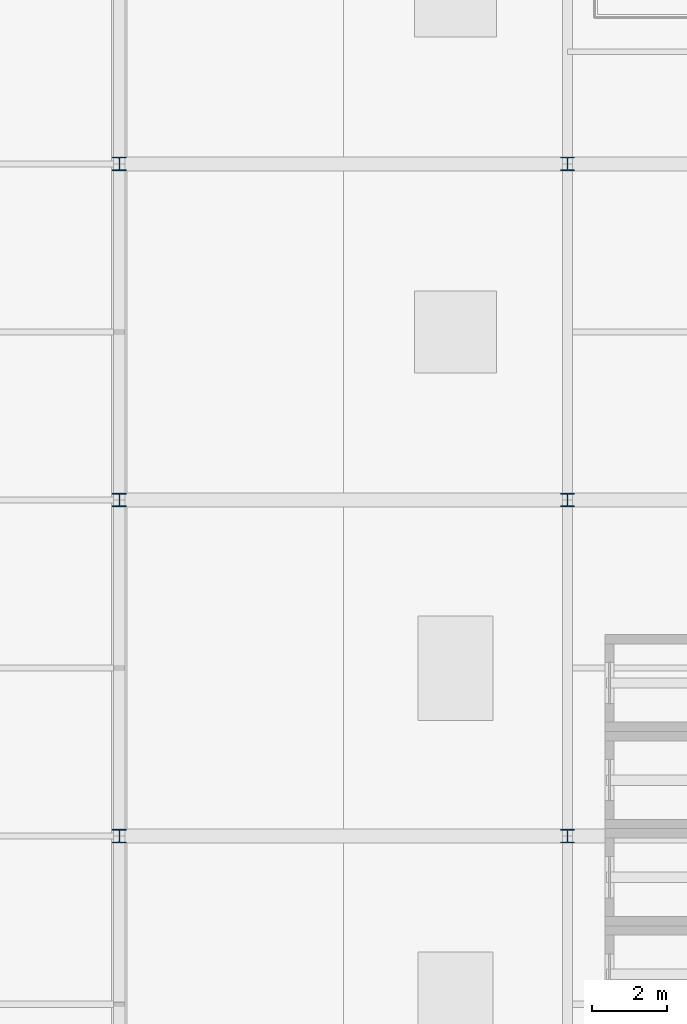
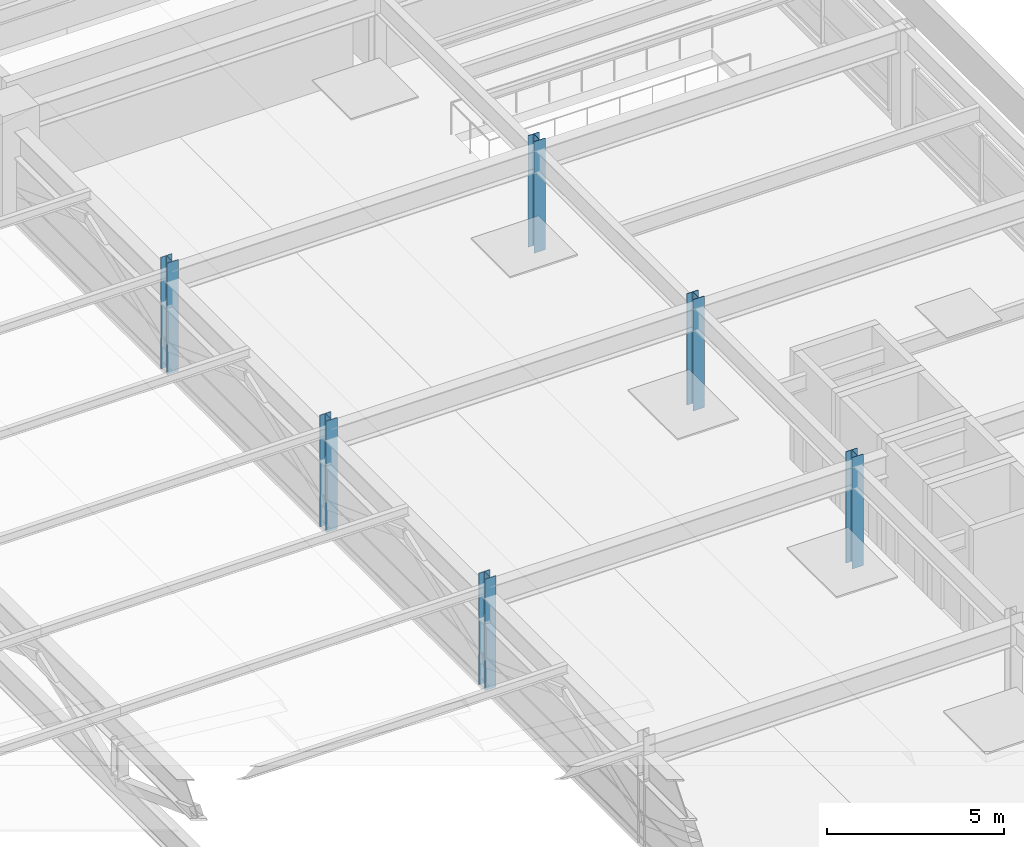
# One storey, part 6 of 108: 6 columns.
"""IFC4 building model written with IfcOpenShell, lengths in metres."""

import ifcopenshell
import ifcopenshell.guid

model = None  # the IFC model being written
_history = None  # IfcOwnerHistory: only IFC2X3 demands one
_inside = {}  # id of a spatial element -> (the spatial element, [elements in it])
_under = {}  # id of a project, library or spatial element -> (it, [spatial elements below it])
_declared = {}  # id of a project -> (the project, [libraries it declares])
_typed = {}  # id of a type object -> (the type object, [elements of that type])
_made_of = {}  # id of a material, layer set ... -> (it, [elements and type objects made of it])


def new_model(schema):
    """Start an empty IFC model of exactly this schema.

    Asked for "IFC4X3", IfcOpenShell would pick the latest addendum, in which some entities
    have other attributes; the version numbers below select the first issue.
    IFC2X3 requires an IfcOwnerHistory on every rooted entity: one is made here for all.
    """
    global model, _history
    if schema == "IFC4X3":
        model = ifcopenshell.file(schema_version=(4, 3, 0, 0))
    else:
        model = ifcopenshell.file(schema=schema)
    _inside.clear()
    _under.clear()
    _declared.clear()
    _typed.clear()
    _made_of.clear()
    _history = None
    if model.schema == "IFC2X3":
        org = make("IfcOrganization", Name="unknown")
        user = make(
            "IfcPersonAndOrganization",
            ThePerson=make("IfcPerson", FamilyName="unknown"),
            TheOrganization=org,
        )
        app = make(
            "IfcApplication",
            ApplicationDeveloper=org,
            Version="unknown",
            ApplicationFullName="unknown",
            ApplicationIdentifier="unknown",
        )
        _history = make(
            "IfcOwnerHistory",
            OwningUser=user,
            OwningApplication=app,
            ChangeAction="ADDED",
            CreationDate=0,
        )
    return model


def make(cls, **values):
    """One entity of the class cls with the attributes given. An attribute that is None is left unset."""
    return model.create_entity(
        cls, **{name: value for name, value in values.items() if value is not None}
    )


def rooted(cls, **values):
    """An entity with a GlobalId (a new one), such as an element, a storey or a relation."""
    return make(cls, GlobalId=ifcopenshell.guid.new(), OwnerHistory=_history, **values)


def si_unit(unit_type, name, prefix=None):
    """IfcSIUnit, for example si_unit("LENGTHUNIT", "METRE", prefix="MILLI")."""
    return make("IfcSIUnit", UnitType=unit_type, Prefix=prefix, Name=name)


def assignment(units):
    """IfcUnitAssignment: the units of a project."""
    return None if units is None else make("IfcUnitAssignment", Units=units)


def point(xyz):
    """IfcCartesianPoint."""
    return None if xyz is None else make("IfcCartesianPoint", Coordinates=xyz)


def direction(xyz):
    """IfcDirection."""
    return None if xyz is None else make("IfcDirection", DirectionRatios=xyz)


def frame(location, z_axis=None, x_axis=None):
    """IfcAxis2Placement3D, a coordinate frame: its origin and axes. An axis left out is left unset."""
    return make(
        "IfcAxis2Placement3D",
        Location=point(location),
        Axis=direction(z_axis),
        RefDirection=direction(x_axis),
    )


def frame_2d(location, x_axis=None):
    """IfcAxis2Placement2D, a coordinate frame in the plane: its origin and x axis."""
    return make(
        "IfcAxis2Placement2D", Location=point(location), RefDirection=direction(x_axis)
    )


def origin():
    """The frame at (0, 0, 0) with its axes left unset."""
    return frame((0.0, 0.0, 0.0))


def origin_2d():
    """The frame at (0, 0) in the plane with its x axis left unset."""
    return frame_2d((0.0, 0.0))


def place(relative_to, where):
    """IfcLocalPlacement: puts the frame where relative to a parent placement (None: the world)."""
    return make(
        "IfcLocalPlacement", PlacementRelTo=relative_to, RelativePlacement=where
    )


def context(
    kind, dimensions, precision=None, world=None, true_north=None, identifier=None
):
    """IfcGeometricRepresentationContext, for example the 3D "Model" context."""
    return make(
        "IfcGeometricRepresentationContext",
        ContextIdentifier=identifier,
        ContextType=kind,
        CoordinateSpaceDimension=dimensions,
        Precision=precision,
        WorldCoordinateSystem=world,
        TrueNorth=true_north,
    )


def subcontext(parent, identifier, kind, view, scale=None):
    """IfcGeometricRepresentationSubContext, for example "Body" below "Model"."""
    return make(
        "IfcGeometricRepresentationSubContext",
        ContextIdentifier=identifier,
        ContextType=kind,
        ParentContext=parent,
        TargetScale=scale,
        TargetView=view,
    )


def project(units=None, contexts=None):
    """IfcProject with its units and contexts."""
    return rooted(
        "IfcProject",
        Name="project",
        RepresentationContexts=contexts,
        UnitsInContext=assignment(units),
    )


def spatial(cls, under=None, at=None, **own):
    """A site, building, storey or space (cls), placed at a placement, below another one or the project."""
    s = rooted(cls, ObjectPlacement=at, **own)
    if under is not None:
        _under.setdefault(under.id(), (under, []))[1].append(s)
    return s


def profile(cls, at=None, kind="AREA", **sizes):
    """A parametric profile (cls). Its sizes go by their IFC names, for example OverallWidth=200.0."""
    return make(cls, ProfileType=kind, Position=at, **sizes)


def i_section(**sizes):
    """IfcIShapeProfileDef."""
    return profile("IfcIShapeProfileDef", **sizes)


def extrude(swept, where, along, depth):
    """IfcExtrudedAreaSolid: the profile swept, set in the frame where, extruded along a direction by depth."""
    return make(
        "IfcExtrudedAreaSolid",
        SweptArea=swept,
        Position=where,
        ExtrudedDirection=direction(along),
        Depth=depth,
    )


def shape(context_of_items, identifier, shape_type, items):
    """IfcShapeRepresentation: the items that make up one representation, for example the "Body"."""
    return make(
        "IfcShapeRepresentation",
        ContextOfItems=context_of_items,
        RepresentationIdentifier=identifier,
        RepresentationType=shape_type,
        Items=items,
    )


def material(Name=None, Category=None):
    """IfcMaterial."""
    return make("IfcMaterial", Name=Name, Category=Category)


def material_profile(
    of_material, cross_section, Name=None, Category=None, Priority=None
):
    """IfcMaterialProfile: a cross section and its material."""
    return make(
        "IfcMaterialProfile",
        Name=Name,
        Material=of_material,
        Profile=cross_section,
        Priority=Priority,
        Category=Category,
    )


def profile_set(profiles, Name=None, composite=None):
    """IfcMaterialProfileSet."""
    return make(
        "IfcMaterialProfileSet",
        Name=Name,
        MaterialProfiles=profiles,
        CompositeProfile=composite,
    )


def made_of(thing, what):
    """Note that an element or type object is made of a material, layer set ...; save() writes the relation."""
    if what is not None:
        _made_of.setdefault(what.id(), (what, []))[1].append(thing)
    return thing


def type_object(cls, material=None, **own):
    """A type object (cls), such as IfcWallType, which elements share."""
    return made_of(rooted(cls, **own), material)


def element(
    cls,
    number,
    at=None,
    inside=None,
    cuts=None,
    type_object=None,
    material=None,
    context=None,
    identifier="Body",
    shape_type=None,
    held_by="IfcProductDefinitionShape",
    body=None,
    shapes=None,
    **own,
):
    """One element of the class cls, such as IfcWall. Its Tag is "e" and its number.

    at: its placement. inside: the storey or other place that contains it. cuts: it is an
    opening in that element (IfcRelVoidsElement). A single representation is given by context,
    identifier, shape_type and body (its items); several are given by shapes. held_by: the class
    of the entity that holds the representations. save() writes the other relations.
    """
    e = rooted(cls, Tag="e%d" % number, ObjectPlacement=at, **own)
    if body is not None:
        shapes = [shape(context, identifier, shape_type, body)]
    if shapes is not None:
        e.Representation = make(held_by, Representations=shapes)
    if inside is not None:
        _inside.setdefault(inside.id(), (inside, []))[1].append(e)
    if cuts is not None:
        rooted(
            "IfcRelVoidsElement", RelatingBuildingElement=cuts, RelatedOpeningElement=e
        )
    if type_object is not None:
        _typed.setdefault(type_object.id(), (type_object, []))[1].append(e)
    return made_of(e, material)


def aggregate(whole, parts):
    """IfcRelAggregates: a whole, such as a stair, and the parts it consists of."""
    return rooted("IfcRelAggregates", RelatingObject=whole, RelatedObjects=parts)


def save(model, path):
    """Write the relations noted so far, then the file.

    IfcRelAggregates (storeys below a building ...), IfcRelContainedInSpatialStructure (elements
    in a storey), IfcRelDefinesByType, IfcRelAssociatesMaterial and IfcRelDeclares: one each for
    every whole, place, type object, material and project.
    """
    for whole, parts in _under.values():
        aggregate(whole, parts)
    for where, things in _inside.values():
        rooted(
            "IfcRelContainedInSpatialStructure",
            RelatedElements=things,
            RelatingStructure=where,
        )
    for kind, things in _typed.values():
        rooted("IfcRelDefinesByType", RelatedObjects=things, RelatingType=kind)
    for what, things in _made_of.values():
        rooted("IfcRelAssociatesMaterial", RelatedObjects=things, RelatingMaterial=what)
    for by, libraries in _declared.values():
        rooted("IfcRelDeclares", RelatingContext=by, RelatedDefinitions=libraries)
    model.write(path)


model = new_model("IFC4")

# Units and contexts
model_context = context("Model", 3, precision=1e-05, world=origin(), true_north=direction((0.0, 1.0)))
body_context = subcontext(model_context, "Body", "Model", "MODEL_VIEW")
ifc_project = project(units=[si_unit("LENGTHUNIT", "METRE"), si_unit("AREAUNIT", "SQUARE_METRE"), si_unit("VOLUMEUNIT", "CUBIC_METRE"), si_unit("PLANEANGLEUNIT", "RADIAN"), si_unit("MASSUNIT", "GRAM", prefix="KILO")], contexts=[model_context])

# Site, building, storey
site_placement = place(None, origin())
site = spatial("IfcSite", under=ifc_project, at=site_placement, CompositionType="ELEMENT")
building_placement = place(site_placement, origin())
building = spatial("IfcBuilding", under=site, at=building_placement, Name="Kaldorvane Square Convention Centre", CompositionType="ELEMENT")
storey_placement = place(building_placement, frame((0.0, 0.0, 23.399993896484375)))
storey = spatial("IfcBuildingStorey", under=building, at=storey_placement, Name="L04", CompositionType="ELEMENT", Elevation=23.399993896484375)

# Columns
ifc_material = material(Name="Steel ASTM A992 Gr. 50", Category="steel")
ifc_material_profile = material_profile(ifc_material, i_section(OverallWidth=0.3701019287109375, OverallDepth=0.360198974609375, WebThickness=0.012298583984375, FlangeThickness=0.019805908203125, FilletRadius=0.0305023193359375, at=origin_2d()), Name="W14X99")
ifc_profile_set = profile_set([ifc_material_profile], Name="Steel ASTM A992 Gr. 50")
column_type = type_object("IfcColumnType", Name="COL-STL-99", PredefinedType="COLUMN", material=ifc_profile_set)
for number, where, z_axis, x_axis, name in (
    (1, (114.0, 45.0, 0.0), (0.0, 0.0, 1.0), (1.0, 0.0, 0.0), "Column SC-12 (L04)"),
    (2, (114.0, 54.0, 0.0), (0.0, 0.0, 1.0), (1.0, 0.0, 0.0), "Column SC-12 (L04)"),
    (3, (114.0, 63.0, 0.0), (0.0, 0.0, 1.0), (1.0, 0.0, 0.0), "Column SC-12 (L04)"),
    (4, (126.0, 45.0, 0.0), (0.0, 0.0, 1.0), (1.0, 0.0, 0.0), "Column SC-12 (L04)"),
    (5, (126.0, 54.0, 0.0), (0.0, 0.0, 1.0), (1.0, 0.0, 0.0), "Column SC-12 (L04)"),
    (6, (126.0, 63.0, 0.0), (0.0, 0.0, 1.0), (1.0, 0.0, 0.0), "Column SC-12 (L04)"),
):
    element("IfcColumn", number, at=place(storey_placement, frame(where, z_axis=z_axis, x_axis=x_axis)), inside=storey, type_object=column_type, Name=name, PredefinedType="COLUMN", context=body_context, shape_type="SweptSolid", body=[
        extrude(i_section(OverallWidth=0.3701019287109375, OverallDepth=0.360198974609375, WebThickness=0.012298583984375, FlangeThickness=0.019805908203125, FilletRadius=0.0305023193359375, at=origin_2d()), origin(), (0.0, 0.0, 1.0), 3.850006103515625),
    ])

save(model, "model.ifc")
